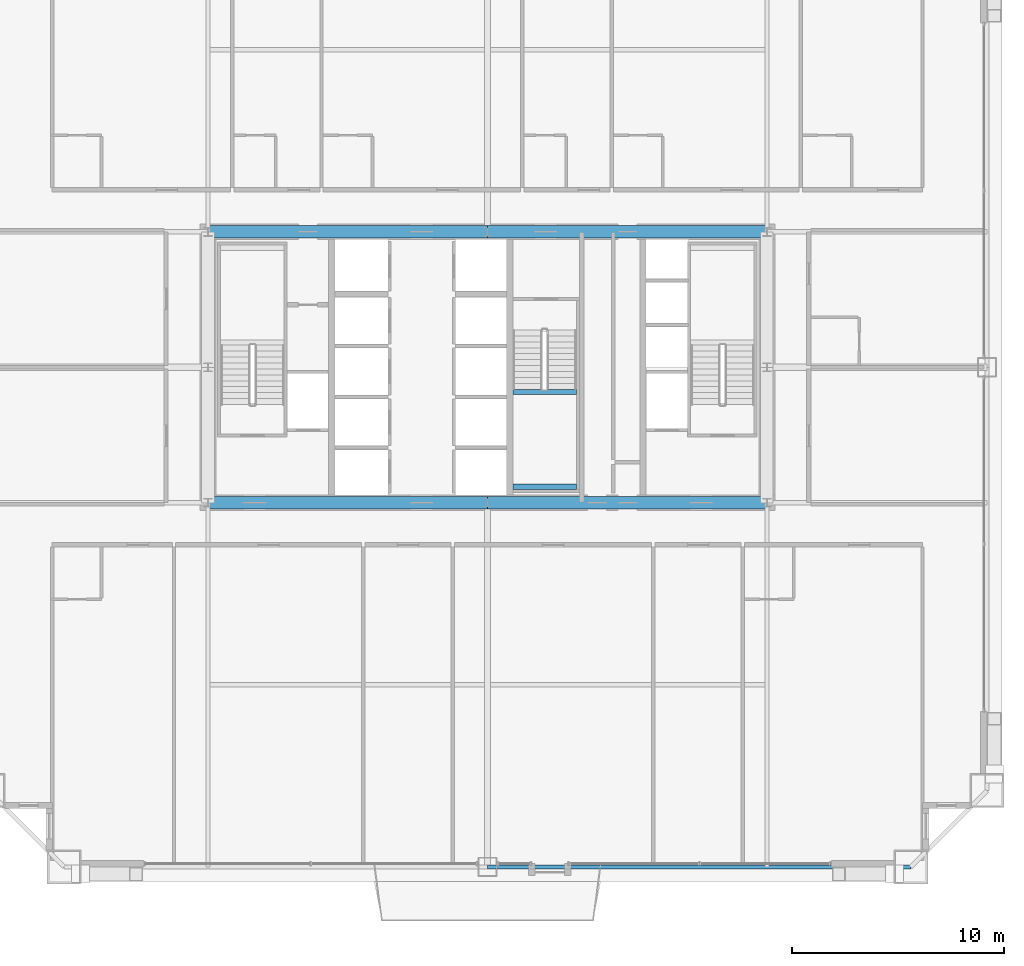
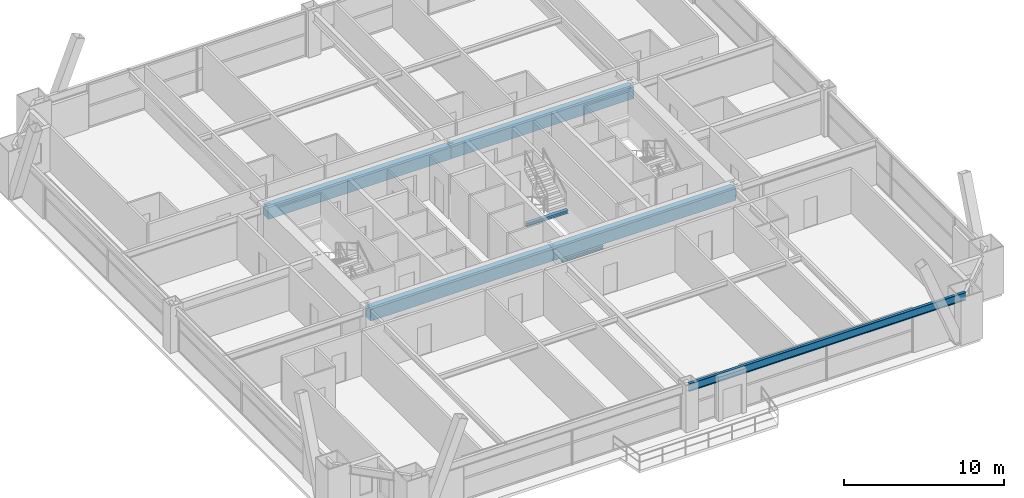
# One storey, part 14 of 41: 7 beams.
"""IFC4 building model written with IfcOpenShell, lengths in metres."""

from ifc_helpers import new_model, si_unit, direction, frame, origin, origin_2d, place, context, subcontext, project, spatial, rectangle, i_section, extrude, source, transform, mapped, material, material_profile, profile_set, type_object, element, save


model = new_model("IFC4")

# Units and contexts
model_context = context("Model", 3, precision=1e-05, world=origin(), true_north=direction((0.0, 1.0)))
body_context = subcontext(model_context, "Body", "Model", "MODEL_VIEW")
ifc_project = project(units=[si_unit("LENGTHUNIT", "METRE"), si_unit("AREAUNIT", "SQUARE_METRE"), si_unit("VOLUMEUNIT", "CUBIC_METRE"), si_unit("PLANEANGLEUNIT", "RADIAN"), si_unit("MASSUNIT", "GRAM", prefix="KILO"), si_unit("THERMODYNAMICTEMPERATUREUNIT", "KELVIN"), si_unit("POWERUNIT", "WATT")], contexts=[model_context])

# Site, building, storey
site_placement = place(None, origin())
site = spatial("IfcSite", under=ifc_project, at=site_placement, CompositionType="ELEMENT")
building_placement = place(site_placement, origin())
building = spatial("IfcBuilding", under=site, at=building_placement, Name="Yuzanri Waterfront Tower", CompositionType="ELEMENT")
storey_placement = place(building_placement, frame((0.0, 0.0, 152.39990234375)))
storey = spatial("IfcBuildingStorey", under=building, at=storey_placement, Name="L40", CompositionType="ELEMENT", Elevation=152.39990234375)

# Beams
ifc_material_1 = material(Name="Concrete C60", Category="concrete")
ifc_material_profile_1 = material_profile(ifc_material_1, rectangle(XDim=0.60009765625, YDim=0.89990234375, at=origin_2d()), Name="RC 600x900")
ifc_profile_set_1 = profile_set([ifc_material_profile_1], Name="Concrete C60")
beam_type_1 = type_object("IfcBeamType", Name="Core Coupling Lintel Concrete C60 600x900", PredefinedType="LINTEL", material=ifc_profile_set_1)
shared_shape_1 = source(origin(), body_context, "Body", "SweptSolid", [
    extrude(rectangle(XDim=0.60009765625, YDim=0.89990234375, at=origin_2d()), origin(), (0.0, 0.0, 1.0), 13.199951171875),
])
for number, where, z_axis, x_axis, name in (
    (1, (23.800048828125, 19.39990234375, 2.93017578125), (1.0, 0.0, 0.0), (0.0, 1.0, 0.0), "L40 Core Tie Beam CS1"),
    (2, (37.0, 19.39990234375, 2.93017578125), (1.0, 0.0, 0.0), (0.0, 1.0, 0.0), "L40 Core Tie Beam CS2"),
    (3, (23.800048828125, 32.199951171875, 2.93017578125), (1.0, 0.0, 0.0), (0.0, 1.0, 0.0), "L40 Core Tie Beam CN1"),
    (4, (37.0, 32.199951171875, 2.93017578125), (1.0, 0.0, 0.0), (0.0, 1.0, 0.0), "L40 Core Tie Beam CN2"),
):
    element("IfcBeam", number, at=place(storey_placement, frame(where, z_axis=z_axis, x_axis=x_axis)), inside=storey, type_object=beam_type_1, Name=name, PredefinedType="LINTEL", context=body_context, shape_type="MappedRepresentation", body=[
        mapped(shared_shape_1, transform((0.0, 0.0, 0.0), scale=1.0)),
    ])
ifc_material_2 = material(Name="Steel Q355B", Category="steel")
ifc_material_profile_2 = material_profile(ifc_material_2, i_section(OverallWidth=0.199951171875, OverallDepth=0.60009765625, WebThickness=0.010986328125, FlangeThickness=0.01708984375, at=origin_2d()), Name="HN 600x200x11x17")
ifc_profile_set_2 = profile_set([ifc_material_profile_2], Name="Steel Q355B")
beam_type_2 = type_object("IfcBeamType", Name="Perimeter Spandrel Q355B HN 600x200", PredefinedType="SPANDREL", material=ifc_profile_set_2)
shared_shape_2 = source(origin(), body_context, "Body", "SweptSolid", [
    extrude(i_section(OverallWidth=0.199951171875, OverallDepth=0.60009765625, WebThickness=0.010986328125, FlangeThickness=0.01708984375, at=origin_2d()), origin(), (0.0, 0.0, 1.0), 20.0),
])
beam_placement = place(storey_placement, frame((37.0, 2.199951171875, 3.080078125), z_axis=(1.0, 0.0, 0.0), x_axis=(0.0, 1.0, 0.0)))
element("IfcBeam", 5, at=beam_placement, inside=storey, type_object=beam_type_2, Name="L40 Perimeter Spandrel S2-S3", PredefinedType="SPANDREL", context=body_context, shape_type="MappedRepresentation", body=[
    mapped(shared_shape_2, transform((0.0, 0.0, 0.0), scale=1.0)),
])
ifc_material_3 = material(Name="Steel Q355B", Category="steel")
ifc_material_profile_3 = material_profile(ifc_material_3, i_section(OverallWidth=0.25, OverallDepth=0.25, WebThickness=0.009033203125, FlangeThickness=0.013916015625, at=origin_2d()), Name="HW 250x250x9x14")
ifc_profile_set_3 = profile_set([ifc_material_profile_3], Name="Steel Q355B")
beam_type_3 = type_object("IfcBeamType", Name="Stair Landing Support Beam Q355B HW 250x250", PredefinedType="BEAM", material=ifc_profile_set_3)
shared_shape_3 = source(origin(), body_context, "Body", "SweptSolid", [
    extrude(i_section(OverallWidth=0.25, OverallDepth=0.25, WebThickness=0.009033203125, FlangeThickness=0.013916015625, at=origin_2d()), origin(), (0.0, 0.0, 1.0), 3.0),
])
for number, where, z_axis, x_axis, name in (
    (6, (38.199951171875, 20.14990234375, 1.47509765625), (1.0, 0.0, 0.0), (0.0, 1.0, 0.0), "L40 Stair Landing Support Beam ST-03-L40-L1-1"),
    (7, (38.199951171875, 24.6298828125, 1.47509765625), (1.0, 0.0, 0.0), (0.0, 1.0, 0.0), "L40 Stair Landing Support Beam ST-03-L40-L1-2"),
):
    element("IfcBeam", number, at=place(storey_placement, frame(where, z_axis=z_axis, x_axis=x_axis)), inside=storey, type_object=beam_type_3, Name=name, PredefinedType="BEAM", context=body_context, shape_type="MappedRepresentation", body=[
        mapped(shared_shape_3, transform((0.0, 0.0, 0.0), scale=1.0)),
    ])

save(model, "model.ifc")
